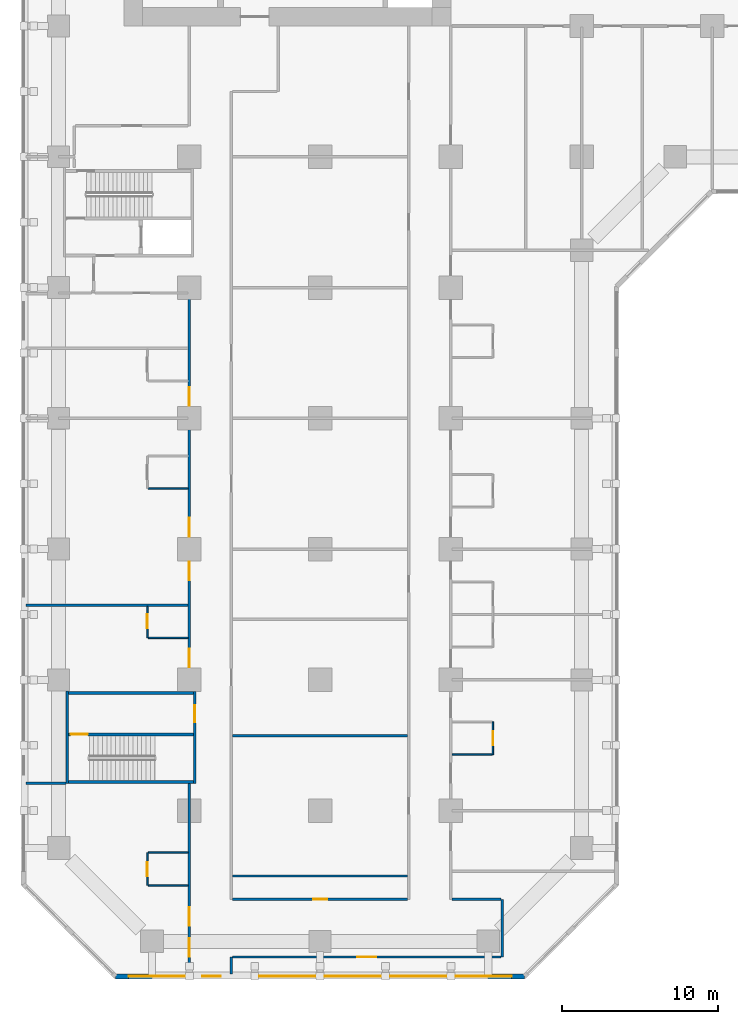
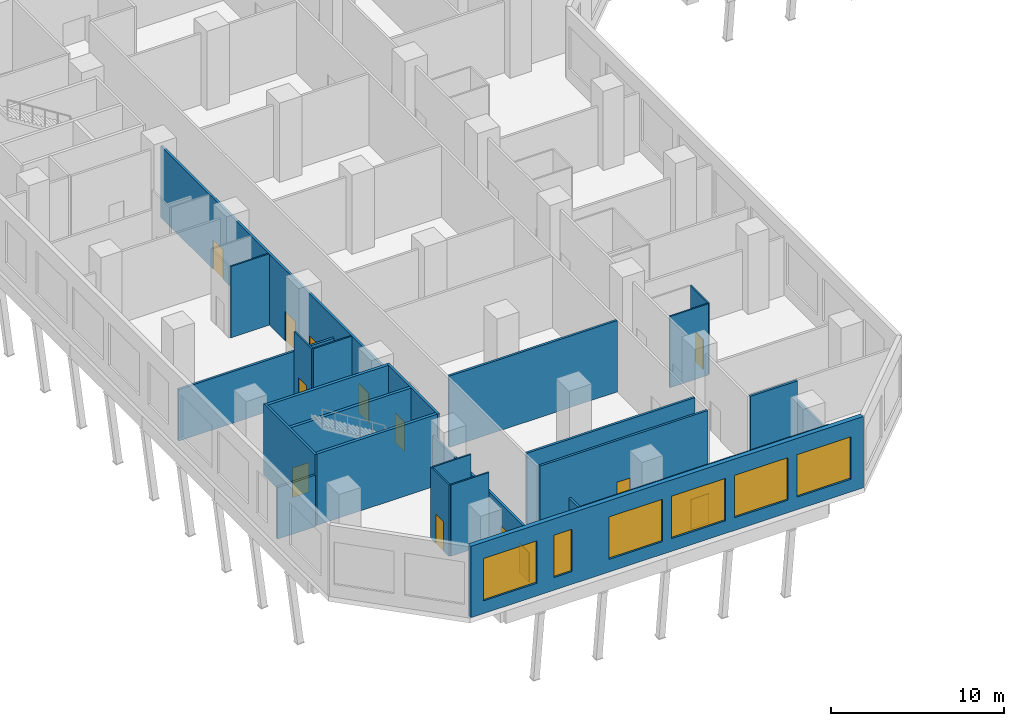
# One storey, part 3 of 24: 25 walls, 13 doors, 6 windows, 19 openings.
"""IFC4 building model written with IfcOpenShell, lengths in metres."""

from ifc_helpers import new_model, si_unit, direction, frame, frame_2d, origin, place, context, subcontext, project, spatial, rectangle, extrude, material, layer, layer_set, type_object, element, fill, save


model = new_model("IFC4")

# Units and contexts
model_context = context("Model", 3, precision=1e-05, world=origin(), true_north=direction((0.0, 1.0)))
body_context = subcontext(model_context, "Body", "Model", "MODEL_VIEW")
ifc_project = project(units=[si_unit("LENGTHUNIT", "METRE"), si_unit("AREAUNIT", "SQUARE_METRE"), si_unit("VOLUMEUNIT", "CUBIC_METRE"), si_unit("PLANEANGLEUNIT", "RADIAN"), si_unit("MASSUNIT", "GRAM", prefix="KILO")], contexts=[model_context])

# Site, building, storey
site_placement = place(None, origin())
site = spatial("IfcSite", under=ifc_project, at=site_placement, CompositionType="ELEMENT")
building_placement = place(site_placement, origin())
building = spatial("IfcBuilding", under=site, at=building_placement, Name="Kawkab Arch Medical Tower", CompositionType="ELEMENT")
storey_placement = place(building_placement, frame((0.0, 0.0, 18.199951171875)))
storey = spatial("IfcBuildingStorey", under=building, at=storey_placement, Name="L04", CompositionType="ELEMENT", Elevation=18.199951171875)

# Walls
ifc_material_1 = material(Name="Gypsum board partition on steel studs", Category="steel")
ifc_layer_1 = layer(ifc_material_1, 0.10009765625)
ifc_layer_set_1 = layer_set([ifc_layer_1], Name="Gypsum board partition on steel studs")
wall_type_1 = type_object("IfcWallType", Name="Partition 100", PredefinedType="PARTITIONING", material=ifc_layer_set_1)
wall_1_placement = place(storey_placement, frame((5.7509765625, -80.39990234375, 0.0), z_axis=(0.0, 0.0, 1.0), x_axis=(1.0, 0.0, 0.0)))
element("IfcWall", 1, at=wall_1_placement, inside=storey, type_object=wall_type_1, Name="Partition 100 w001", PredefinedType="PARTITIONING", context=body_context, shape_type="SweptSolid", body=[
    extrude(rectangle(XDim=2.573974609375, YDim=0.10009765625, at=frame_2d((1.287109375, 0.0))), origin(), (0.0, 0.0, 1.0), 5.050048828125),
])
for number, where, z_axis, x_axis, name in (
    (2, (5.751953125, -78.300048828125, 0.0), (0.0, 0.0, 1.0), (1.0, 0.0, 0.0), "Partition 100 w002"),
    (3, (25.27490234375, -72.0, 0.0), (0.0, 0.0, 1.0), (1.0, 0.0, 0.0), "Partition 100 w003"),
):
    element("IfcWall", number, at=place(storey_placement, frame(where, z_axis=z_axis, x_axis=x_axis)), inside=storey, type_object=wall_type_1, Name=name, PredefinedType="PARTITIONING", context=body_context, shape_type="SweptSolid", body=[
        extrude(rectangle(XDim=2.572998046875, YDim=0.10009765625, at=frame_2d((1.28662109375, 0.0))), origin(), (0.0, 0.0, 1.0), 5.050048828125),
    ])
for number, where, z_axis, x_axis, name in (
    (4, (5.7509765625, -64.5, 0.0), (0.0, 0.0, 1.0), (1.0, 0.0, 0.0), "Partition 100 w006"),
    (5, (5.7509765625, -54.89990234375, 0.0), (0.0, 0.0, 1.0), (1.0, 0.0, 0.0), "Partition 100 w009"),
):
    element("IfcWall", number, at=place(storey_placement, frame(where, z_axis=z_axis, x_axis=x_axis)), inside=storey, type_object=wall_type_1, Name=name, PredefinedType="PARTITIONING", context=body_context, shape_type="SweptSolid", body=[
        extrude(rectangle(XDim=2.573974609375, YDim=0.10009765625, at=frame_2d((1.287109375, 0.0))), origin(), (0.0, 0.0, 1.0), 5.050048828125),
    ])

# Wall, opening, door
wall_2_placement = place(storey_placement, frame((5.699951171875, -80.39794921875, 0.0), z_axis=(0.0, 0.0, 1.0), x_axis=(0.0, 1.0, 0.0)))
wall_2 = element("IfcWall", 6, at=wall_2_placement, inside=storey, type_object=wall_type_1, Name="Partition 100 w022", PredefinedType="PARTITIONING", context=body_context, shape_type="SweptSolid", body=[
    extrude(rectangle(XDim=2.095947265625, YDim=0.10009765625, at=frame_2d((1.0478515625, 0.0))), origin(), (0.0, 0.0, 1.0), 5.050048828125),
])
opening_1_placement = place(wall_2_placement, frame((0.597900390625, 0.0, 0.0)))
opening_1 = element("IfcOpeningElement", 7, at=opening_1_placement, cuts=wall_2, Name="Opening P04-011", PredefinedType="OPENING", context=body_context, shape_type="SweptSolid", body=[
    extrude(rectangle(XDim=0.89990234375, YDim=2.10009765625, at=frame_2d((0.449951171875, 1.050048828125))), frame((0.0, 0.06005859375, 0.0), z_axis=(0.0, -1.0, 0.0), x_axis=(1.0, 0.0, 0.0)), (0.0, 0.0, 1.0), 0.1201171875),
])
ifc_material_2 = material(Name="Timber door leaf", Category="wood")
door_type_1 = type_object("IfcDoorType", Name="Single door 900x2100", OperationType="NOTDEFINED", PredefinedType="DOOR", material=ifc_material_2)
door_1_placement = place(opening_1_placement, origin())
door_1 = element("IfcDoor", 8, at=door_1_placement, inside=storey, type_object=door_type_1, Name="Door P04-011", OperationType="SINGLE_SWING_LEFT", OverallHeight=2.10009765625, OverallWidth=0.89990234375, PredefinedType="DOOR", context=body_context, shape_type="SweptSolid", body=[
    extrude(rectangle(XDim=0.89990234375, YDim=2.10009765625, at=frame_2d((0.449951171875, 1.050048828125))), frame((0.0, 0.02490234375, 0.0), z_axis=(0.0, -1.0, 0.0), x_axis=(1.0, 0.0, 0.0)), (0.0, 0.0, 1.0), 0.050048828125),
])
fill(opening_1, door_1)

wall_3_placement = place(storey_placement, frame((5.699951171875, -64.498046875, 0.0), z_axis=(0.0, 0.0, 1.0), x_axis=(0.0, 1.0, 0.0)))
wall_3 = element("IfcWall", 9, at=wall_3_placement, inside=storey, type_object=wall_type_1, Name="Partition 100 w023", PredefinedType="PARTITIONING", context=body_context, shape_type="SweptSolid", body=[
    extrude(rectangle(XDim=2.02294921875, YDim=0.10009765625, at=frame_2d((1.011474609375, 0.0))), origin(), (0.0, 0.0, 1.0), 5.050048828125),
])
opening_2_placement = place(wall_3_placement, frame((0.59912109375, 0.0, 0.0)))
opening_2 = element("IfcOpeningElement", 10, at=opening_2_placement, cuts=wall_3, Name="Opening P04-010", PredefinedType="OPENING", context=body_context, shape_type="SweptSolid", body=[
    extrude(rectangle(XDim=0.89990234375, YDim=2.10009765625, at=frame_2d((0.449951171875, 1.050048828125))), frame((0.0, 0.06005859375, 0.0), z_axis=(0.0, -1.0, 0.0), x_axis=(1.0, 0.0, 0.0)), (0.0, 0.0, 1.0), 0.1201171875),
])
door_2_placement = place(opening_2_placement, origin())
door_2 = element("IfcDoor", 11, at=door_2_placement, inside=storey, type_object=door_type_1, Name="Door P04-010", OperationType="SINGLE_SWING_RIGHT", OverallHeight=2.10009765625, OverallWidth=0.89990234375, PredefinedType="DOOR", context=body_context, shape_type="SweptSolid", body=[
    extrude(rectangle(XDim=0.89990234375, YDim=2.10009765625, at=frame_2d((0.449951171875, 1.050048828125))), frame((0.0, 0.02490234375, 0.0), z_axis=(0.0, -1.0, 0.0), x_axis=(1.0, 0.0, 0.0)), (0.0, 0.0, 1.0), 0.050048828125),
])
fill(opening_2, door_2)

wall_4_placement = place(storey_placement, frame((27.89990234375, -71.998046875, 0.0), z_axis=(0.0, 0.0, 1.0), x_axis=(0.0, 1.0, 0.0)))
wall_4 = element("IfcWall", 12, at=wall_4_placement, inside=storey, type_object=wall_type_1, Name="Partition 100 w026", PredefinedType="PARTITIONING", context=body_context, shape_type="SweptSolid", body=[
    extrude(rectangle(XDim=2.095947265625, YDim=0.10009765625, at=frame_2d((1.0478515625, 0.0))), origin(), (0.0, 0.0, 1.0), 5.050048828125),
])
opening_3_placement = place(wall_4_placement, frame((0.597900390625, 0.0, 0.0)))
opening_3 = element("IfcOpeningElement", 13, at=opening_3_placement, cuts=wall_4, Name="Opening P04-017", PredefinedType="OPENING", context=body_context, shape_type="SweptSolid", body=[
    extrude(rectangle(XDim=0.89990234375, YDim=2.10009765625, at=frame_2d((0.449951171875, 1.050048828125))), frame((0.0, 0.06005859375, 0.0), z_axis=(0.0, -1.0, 0.0), x_axis=(1.0, 0.0, 0.0)), (0.0, 0.0, 1.0), 0.1201171875),
])
door_3_placement = place(opening_3_placement, origin())
door_3 = element("IfcDoor", 14, at=door_3_placement, inside=storey, type_object=door_type_1, Name="Door P04-017", OperationType="SINGLE_SWING_LEFT", OverallHeight=2.10009765625, OverallWidth=0.89990234375, PredefinedType="DOOR", context=body_context, shape_type="SweptSolid", body=[
    extrude(rectangle(XDim=0.89990234375, YDim=2.10009765625, at=frame_2d((0.449951171875, 1.050048828125))), frame((0.0, 0.02490234375, 0.0), z_axis=(0.0, -1.0, 0.0), x_axis=(1.0, 0.0, 0.0)), (0.0, 0.0, 1.0), 0.050048828125),
])
fill(opening_3, door_3)

ifc_material_3 = material(Name="Gypsum board partition on steel studs, mineral wool", Category="steel")
ifc_layer_2 = layer(ifc_material_3, 0.14990234375)
ifc_layer_set_2 = layer_set([ifc_layer_2], Name="Gypsum board partition on steel studs, mineral wool")
wall_type_2 = type_object("IfcWallType", Name="Partition 150", PredefinedType="PARTITIONING", material=ifc_layer_set_2)
wall_5_placement = place(storey_placement, frame((11.175048828125, -85.0, 0.0), z_axis=(0.0, 0.0, 1.0), x_axis=(1.0, 0.0, 0.0)))
wall_5 = element("IfcWall", 15, at=wall_5_placement, inside=storey, type_object=wall_type_2, Name="Partition 150 w042", PredefinedType="PARTITIONING", context=body_context, shape_type="SweptSolid", body=[
    extrude(rectangle(XDim=17.2490234375, YDim=0.14990234375, at=frame_2d((8.62451171875, 0.0))), origin(), (0.0, 0.0, 1.0), 4.150146484375),
])
opening_4_placement = place(wall_5_placement, frame((8.02392578125, 0.0, 0.0)))
opening_4 = element("IfcOpeningElement", 16, at=opening_4_placement, cuts=wall_5, Name="Opening P04-069", PredefinedType="OPENING", context=body_context, shape_type="SweptSolid", body=[
    extrude(rectangle(XDim=1.199951171875, YDim=2.10009765625, at=frame_2d((0.60009765625, 1.050048828125))), frame((0.0, 0.0849609375, 0.0), z_axis=(0.0, -1.0, 0.0), x_axis=(1.0, 0.0, 0.0)), (0.0, 0.0, 1.0), 0.169921875),
])
ifc_material_4 = material(Name="Hollow metal door leaf")
door_type_2 = type_object("IfcDoorType", Name="Single door 1200x2100 FD30S", OperationType="NOTDEFINED", PredefinedType="DOOR", material=ifc_material_4)
door_4_placement = place(opening_4_placement, origin())
door_4 = element("IfcDoor", 17, at=door_4_placement, inside=storey, type_object=door_type_2, Name="Door P04-069", OperationType="SINGLE_SWING_LEFT", OverallHeight=2.10009765625, OverallWidth=1.199951171875, PredefinedType="DOOR", context=body_context, shape_type="SweptSolid", body=[
    extrude(rectangle(XDim=1.199951171875, YDim=2.10009765625, at=frame_2d((0.60009765625, 1.050048828125))), frame((0.0, 0.02490234375, 0.0), z_axis=(0.0, -1.0, 0.0), x_axis=(1.0, 0.0, 0.0)), (0.0, 0.0, 1.0), 0.050048828125),
])
fill(opening_4, door_4)

wall_6_placement = place(storey_placement, frame((11.175048828125, -81.300048828125, 0.0), z_axis=(0.0, 0.0, 1.0), x_axis=(1.0, 0.0, 0.0)))
wall_6 = element("IfcWall", 18, at=wall_6_placement, inside=storey, type_object=wall_type_2, Name="Partition 150 w043", PredefinedType="PARTITIONING", context=body_context, shape_type="SweptSolid", body=[
    extrude(rectangle(XDim=11.25, YDim=0.14990234375, at=frame_2d((5.625, 0.0))), origin(), (0.0, 0.0, 1.0), 5.050048828125),
])
opening_5_placement = place(wall_6_placement, frame((5.175048828125, 0.0, 0.0)))
opening_5 = element("IfcOpeningElement", 19, at=opening_5_placement, cuts=wall_6, Name="Opening P04-012", PredefinedType="OPENING", context=body_context, shape_type="SweptSolid", body=[
    extrude(rectangle(XDim=0.89990234375, YDim=2.10009765625, at=frame_2d((0.449951171875, 1.050048828125))), frame((0.0, 0.0849609375, 0.0), z_axis=(0.0, -1.0, 0.0), x_axis=(1.0, 0.0, 0.0)), (0.0, 0.0, 1.0), 0.169921875),
])
door_5_placement = place(opening_5_placement, origin())
door_5 = element("IfcDoor", 20, at=door_5_placement, inside=storey, type_object=door_type_1, Name="Door P04-012", OperationType="SINGLE_SWING_LEFT", OverallHeight=2.10009765625, OverallWidth=0.89990234375, PredefinedType="DOOR", context=body_context, shape_type="SweptSolid", body=[
    extrude(rectangle(XDim=0.89990234375, YDim=2.10009765625, at=frame_2d((0.449951171875, 1.050048828125))), frame((0.0, 0.02490234375, 0.0), z_axis=(0.0, -1.0, 0.0), x_axis=(1.0, 0.0, 0.0)), (0.0, 0.0, 1.0), 0.050048828125),
])
fill(opening_5, door_5)

# Walls
wall_7_placement = place(storey_placement, frame((25.27490234375, -81.300048828125, 0.0), z_axis=(0.0, 0.0, 1.0), x_axis=(1.0, 0.0, 0.0)))
element("IfcWall", 21, at=wall_7_placement, inside=storey, type_object=wall_type_2, Name="Partition 150 w044", PredefinedType="PARTITIONING", context=body_context, shape_type="SweptSolid", body=[
    extrude(rectangle(XDim=3.148193359375, YDim=0.14990234375, at=frame_2d((1.57421875, 0.0))), origin(), (0.0, 0.0, 1.0), 5.050048828125),
])
wall_8_placement = place(storey_placement, frame((11.175048828125, -79.800048828125, 0.0), z_axis=(0.0, 0.0, 1.0), x_axis=(1.0, 0.0, 0.0)))
element("IfcWall", 22, at=wall_8_placement, inside=storey, type_object=wall_type_2, Name="Partition 150 w045", PredefinedType="PARTITIONING", context=body_context, shape_type="SweptSolid", body=[
    extrude(rectangle(XDim=11.25, YDim=0.14990234375, at=frame_2d((5.625, 0.0))), origin(), (0.0, 0.0, 1.0), 5.050048828125),
])
wall_9_placement = place(storey_placement, frame((-2.080078125, -73.85009765625, 0.0), z_axis=(0.0, 0.0, 1.0), x_axis=(1.0, 0.0, 0.0)))
element("IfcWall", 23, at=wall_9_placement, inside=storey, type_object=wall_type_2, Name="Partition 150 w048", PredefinedType="PARTITIONING", context=body_context, shape_type="SweptSolid", body=[
    extrude(rectangle(XDim=2.552001953125, YDim=0.14990234375, at=frame_2d((1.27587890625, 0.0))), origin(), (0.0, 0.0, 1.0), 3.650146484375),
])
wall_10_placement = place(storey_placement, frame((11.175048828125, -70.800048828125, 0.0), z_axis=(0.0, 0.0, 1.0), x_axis=(1.0, 0.0, 0.0)))
element("IfcWall", 24, at=wall_10_placement, inside=storey, type_object=wall_type_2, Name="Partition 150 w049", PredefinedType="PARTITIONING", context=body_context, shape_type="SweptSolid", body=[
    extrude(rectangle(XDim=11.25, YDim=0.14990234375, at=frame_2d((5.625, 0.0))), origin(), (0.0, 0.0, 1.0), 5.050048828125),
])
wall_11_placement = place(storey_placement, frame((-2.080078125, -62.39990234375, 0.0), z_axis=(0.0, 0.0, 1.0), x_axis=(1.0, 0.0, 0.0)))
element("IfcWall", 25, at=wall_11_placement, inside=storey, type_object=wall_type_2, Name="Partition 150 w053", PredefinedType="PARTITIONING", context=body_context, shape_type="SweptSolid", body=[
    extrude(rectangle(XDim=10.405029296875, YDim=0.14990234375, at=frame_2d((5.20263671875, 0.0))), origin(), (0.0, 0.0, 1.0), 3.650146484375),
])

# Wall, openings, doors
wall_12_placement = place(storey_placement, frame((8.39990234375, -86.080078125, 0.0), z_axis=(0.0, 0.0, 1.0), x_axis=(0.0, 1.0, 0.0)))
wall_12 = element("IfcWall", 26, at=wall_12_placement, inside=storey, type_object=wall_type_2, Name="Partition 150 w091", PredefinedType="PARTITIONING", context=body_context, shape_type="SweptSolid", body=[
    extrude(rectangle(XDim=12.22998046875, YDim=0.14990234375, at=frame_2d((6.114990234375, 0.0))), origin(), (0.0, 0.0, 1.0), 3.650146484375),
])
opening_6_placement = place(wall_12_placement, frame((1.080078125, 0.0, 0.0)))
opening_6 = element("IfcOpeningElement", 27, at=opening_6_placement, cuts=wall_12, Name="Opening P04-060", PredefinedType="OPENING", context=body_context, shape_type="SweptSolid", body=[
    extrude(rectangle(XDim=1.199951171875, YDim=2.10009765625, at=frame_2d((0.60009765625, 1.050048828125))), frame((0.0, 0.0849609375, 0.0), z_axis=(0.0, -1.0, 0.0), x_axis=(1.0, 0.0, 0.0)), (0.0, 0.0, 1.0), 0.169921875),
])
opening_7_placement = place(wall_12_placement, frame((3.080078125, 0.0, 0.0)))
opening_7 = element("IfcOpeningElement", 28, at=opening_7_placement, cuts=wall_12, Name="Opening P04-061", PredefinedType="OPENING", context=body_context, shape_type="SweptSolid", body=[
    extrude(rectangle(XDim=1.199951171875, YDim=2.10009765625, at=frame_2d((0.60009765625, 1.050048828125))), frame((0.0, 0.0849609375, 0.0), z_axis=(0.0, -1.0, 0.0), x_axis=(1.0, 0.0, 0.0)), (0.0, 0.0, 1.0), 0.169921875),
])
door_6_placement = place(opening_6_placement, origin())
door_6 = element("IfcDoor", 29, at=door_6_placement, inside=storey, type_object=door_type_2, Name="Door P04-060", OperationType="SINGLE_SWING_LEFT", OverallHeight=2.10009765625, OverallWidth=1.199951171875, PredefinedType="DOOR", context=body_context, shape_type="SweptSolid", body=[
    extrude(rectangle(XDim=1.199951171875, YDim=2.10009765625, at=frame_2d((0.60009765625, 1.050048828125))), frame((0.0, 0.02490234375, 0.0), z_axis=(0.0, -1.0, 0.0), x_axis=(1.0, 0.0, 0.0)), (0.0, 0.0, 1.0), 0.050048828125),
])
fill(opening_6, door_6)
door_7_placement = place(opening_7_placement, origin())
door_7 = element("IfcDoor", 30, at=door_7_placement, inside=storey, type_object=door_type_2, Name="Door P04-061", OperationType="SINGLE_SWING_LEFT", OverallHeight=2.10009765625, OverallWidth=1.199951171875, PredefinedType="DOOR", context=body_context, shape_type="SweptSolid", body=[
    extrude(rectangle(XDim=1.199951171875, YDim=2.10009765625, at=frame_2d((0.60009765625, 1.050048828125))), frame((0.0, 0.02490234375, 0.0), z_axis=(0.0, -1.0, 0.0), x_axis=(1.0, 0.0, 0.0)), (0.0, 0.0, 1.0), 0.050048828125),
])
fill(opening_7, door_7)

wall_13_placement = place(storey_placement, frame((8.39990234375, -67.947021484375, 0.0), z_axis=(0.0, 0.0, 1.0), x_axis=(0.0, 1.0, 0.0)))
wall_13 = element("IfcWall", 31, at=wall_13_placement, inside=storey, type_object=wall_type_2, Name="Partition 150 w092", PredefinedType="PARTITIONING", context=body_context, shape_type="SweptSolid", body=[
    extrude(rectangle(XDim=25.596923828125, YDim=0.14990234375, at=frame_2d((12.79833984375, 0.0))), origin(), (0.0, 0.0, 1.0), 5.050048828125),
])
opening_8_placement = place(wall_13_placement, frame((18.346923828125, 0.0, 0.0)))
opening_8 = element("IfcOpeningElement", 32, at=opening_8_placement, cuts=wall_13, Name="Opening P04-056", PredefinedType="OPENING", context=body_context, shape_type="SweptSolid", body=[
    extrude(rectangle(XDim=1.199951171875, YDim=2.10009765625, at=frame_2d((0.60009765625, 1.050048828125))), frame((0.0, 0.0849609375, 0.0), z_axis=(0.0, -1.0, 0.0), x_axis=(1.0, 0.0, 0.0)), (0.0, 0.0, 1.0), 0.169921875),
])
opening_9_placement = place(wall_13_placement, frame((7.14697265625, 0.0, 0.0)))
opening_9 = element("IfcOpeningElement", 33, at=opening_9_placement, cuts=wall_13, Name="Opening P04-057", PredefinedType="OPENING", context=body_context, shape_type="SweptSolid", body=[
    extrude(rectangle(XDim=1.199951171875, YDim=2.10009765625, at=frame_2d((0.60009765625, 1.050048828125))), frame((0.0, 0.0849609375, 0.0), z_axis=(0.0, -1.0, 0.0), x_axis=(1.0, 0.0, 0.0)), (0.0, 0.0, 1.0), 0.169921875),
])
opening_10_placement = place(wall_13_placement, frame((9.947021484375, 0.0, 0.0)))
opening_10 = element("IfcOpeningElement", 34, at=opening_10_placement, cuts=wall_13, Name="Opening P04-058", PredefinedType="OPENING", context=body_context, shape_type="SweptSolid", body=[
    extrude(rectangle(XDim=1.199951171875, YDim=2.10009765625, at=frame_2d((0.60009765625, 1.050048828125))), frame((0.0, 0.0849609375, 0.0), z_axis=(0.0, -1.0, 0.0), x_axis=(1.0, 0.0, 0.0)), (0.0, 0.0, 1.0), 0.169921875),
])
opening_11_placement = place(wall_13_placement, frame((1.549072265625, 0.0, 0.0)))
opening_11 = element("IfcOpeningElement", 35, at=opening_11_placement, cuts=wall_13, Name="Opening P04-059", PredefinedType="OPENING", context=body_context, shape_type="SweptSolid", body=[
    extrude(rectangle(XDim=1.199951171875, YDim=2.10009765625, at=frame_2d((0.60009765625, 1.050048828125))), frame((0.0, 0.0849609375, 0.0), z_axis=(0.0, -1.0, 0.0), x_axis=(1.0, 0.0, 0.0)), (0.0, 0.0, 1.0), 0.169921875),
])
door_8_placement = place(opening_8_placement, origin())
door_8 = element("IfcDoor", 36, at=door_8_placement, inside=storey, type_object=door_type_2, Name="Door P04-056", OperationType="SINGLE_SWING_RIGHT", OverallHeight=2.10009765625, OverallWidth=1.199951171875, PredefinedType="DOOR", context=body_context, shape_type="SweptSolid", body=[
    extrude(rectangle(XDim=1.199951171875, YDim=2.10009765625, at=frame_2d((0.60009765625, 1.050048828125))), frame((0.0, 0.02490234375, 0.0), z_axis=(0.0, -1.0, 0.0), x_axis=(1.0, 0.0, 0.0)), (0.0, 0.0, 1.0), 0.050048828125),
])
fill(opening_8, door_8)
door_9_placement = place(opening_9_placement, origin())
door_9 = element("IfcDoor", 37, at=door_9_placement, inside=storey, type_object=door_type_2, Name="Door P04-057", OperationType="SINGLE_SWING_LEFT", OverallHeight=2.10009765625, OverallWidth=1.199951171875, PredefinedType="DOOR", context=body_context, shape_type="SweptSolid", body=[
    extrude(rectangle(XDim=1.199951171875, YDim=2.10009765625, at=frame_2d((0.60009765625, 1.050048828125))), frame((0.0, 0.02490234375, 0.0), z_axis=(0.0, -1.0, 0.0), x_axis=(1.0, 0.0, 0.0)), (0.0, 0.0, 1.0), 0.050048828125),
])
fill(opening_9, door_9)
door_10_placement = place(opening_10_placement, origin())
door_10 = element("IfcDoor", 38, at=door_10_placement, inside=storey, type_object=door_type_2, Name="Door P04-058", OperationType="SINGLE_SWING_LEFT", OverallHeight=2.10009765625, OverallWidth=1.199951171875, PredefinedType="DOOR", context=body_context, shape_type="SweptSolid", body=[
    extrude(rectangle(XDim=1.199951171875, YDim=2.10009765625, at=frame_2d((0.60009765625, 1.050048828125))), frame((0.0, 0.02490234375, 0.0), z_axis=(0.0, -1.0, 0.0), x_axis=(1.0, 0.0, 0.0)), (0.0, 0.0, 1.0), 0.050048828125),
])
fill(opening_10, door_10)
door_11_placement = place(opening_11_placement, origin())
door_11 = element("IfcDoor", 39, at=door_11_placement, inside=storey, type_object=door_type_2, Name="Door P04-059", OperationType="SINGLE_SWING_LEFT", OverallHeight=2.10009765625, OverallWidth=1.199951171875, PredefinedType="DOOR", context=body_context, shape_type="SweptSolid", body=[
    extrude(rectangle(XDim=1.199951171875, YDim=2.10009765625, at=frame_2d((0.60009765625, 1.050048828125))), frame((0.0, 0.02490234375, 0.0), z_axis=(0.0, -1.0, 0.0), x_axis=(1.0, 0.0, 0.0)), (0.0, 0.0, 1.0), 0.050048828125),
])
fill(opening_11, door_11)

# Walls
wall_14_placement = place(storey_placement, frame((11.10009765625, -86.080078125, 0.0), z_axis=(0.0, 0.0, 1.0), x_axis=(0.0, 1.0, 0.0)))
element("IfcWall", 40, at=wall_14_placement, inside=storey, type_object=wall_type_2, Name="Partition 150 w094", PredefinedType="PARTITIONING", context=body_context, shape_type="SweptSolid", body=[
    extrude(rectangle(XDim=1.080078125, YDim=0.14990234375, at=frame_2d((0.5400390625, 0.0))), origin(), (0.0, 0.0, 1.0), 5.050048828125),
])
wall_15_placement = place(storey_placement, frame((28.5, -84.998046875, 0.0), z_axis=(0.0, 0.0, 1.0), x_axis=(0.0, 1.0, 0.0)))
element("IfcWall", 41, at=wall_15_placement, inside=storey, type_object=wall_type_2, Name="Partition 150 w099", PredefinedType="PARTITIONING", context=body_context, shape_type="SweptSolid", body=[
    extrude(rectangle(XDim=3.697021484375, YDim=0.14990234375, at=frame_2d((1.8486328125, 0.0))), origin(), (0.0, 0.0, 1.0), 3.650146484375),
])

# Wall, openings, windows
ifc_material_5 = material(Name="Bronze clad insulated wall panel")
ifc_layer_3 = layer(ifc_material_5, 0.300048828125)
ifc_layer_set_3 = layer_set([ifc_layer_3], Name="Bronze clad insulated wall panel")
wall_type_3 = type_object("IfcWallType", Name="Podium external wall 300", PredefinedType="SOLIDWALL", material=ifc_layer_set_3)
wall_16_placement = place(storey_placement, frame((3.662109375, -86.25, 0.0), z_axis=(0.0, 0.0, 1.0), x_axis=(1.0, 0.0, 0.0)))
wall_16 = element("IfcWall", 42, at=wall_16_placement, inside=storey, type_object=wall_type_3, Name="Podium external wall L04 R09", PredefinedType="SOLIDWALL", context=body_context, shape_type="SweptSolid", body=[
    extrude(rectangle(XDim=26.27587890625, YDim=0.300048828125, at=frame_2d((13.137939453125, 0.0))), origin(), (0.0, 0.0, 1.0), 5.050048828125),
])
opening_12_placement = place(wall_16_placement, frame((0.837890625, 0.0, 0.89990234375)))
opening_12 = element("IfcOpeningElement", 43, at=opening_12_placement, cuts=wall_16, Name="Opening PBW360-30-S9", PredefinedType="OPENING", context=body_context, shape_type="SweptSolid", body=[
    extrude(rectangle(XDim=3.60009765625, YDim=3.0, at=frame_2d((1.800048828125, 1.5))), frame((0.0, 0.159912109375, 0.0), z_axis=(0.0, -1.0, 0.0), x_axis=(1.0, 0.0, 0.0)), (0.0, 0.0, 1.0), 0.320068359375),
])
opening_13_placement = place(wall_16_placement, frame((5.56298828125, 0.0, 0.89990234375)))
opening_13 = element("IfcOpeningElement", 44, at=opening_13_placement, cuts=wall_16, Name="Opening PBW120-30-S9", PredefinedType="OPENING", context=body_context, shape_type="SweptSolid", body=[
    extrude(rectangle(XDim=1.199951171875, YDim=3.0, at=frame_2d((0.60009765625, 1.5))), frame((0.0, 0.159912109375, 0.0), z_axis=(0.0, -1.0, 0.0), x_axis=(1.0, 0.0, 0.0)), (0.0, 0.0, 1.0), 0.320068359375),
])
opening_14_placement = place(wall_16_placement, frame((9.23779296875, 0.0, 0.89990234375)))
opening_14 = element("IfcOpeningElement", 45, at=opening_14_placement, cuts=wall_16, Name="Opening PBW360-30-S9", PredefinedType="OPENING", context=body_context, shape_type="SweptSolid", body=[
    extrude(rectangle(XDim=3.60009765625, YDim=3.0, at=frame_2d((1.800048828125, 1.5))), frame((0.0, 0.159912109375, 0.0), z_axis=(0.0, -1.0, 0.0), x_axis=(1.0, 0.0, 0.0)), (0.0, 0.0, 1.0), 0.320068359375),
])
opening_15_placement = place(wall_16_placement, frame((13.43798828125, 0.0, 0.89990234375)))
opening_15 = element("IfcOpeningElement", 46, at=opening_15_placement, cuts=wall_16, Name="Opening PBW360-30-S9", PredefinedType="OPENING", context=body_context, shape_type="SweptSolid", body=[
    extrude(rectangle(XDim=3.60009765625, YDim=3.0, at=frame_2d((1.800048828125, 1.5))), frame((0.0, 0.159912109375, 0.0), z_axis=(0.0, -1.0, 0.0), x_axis=(1.0, 0.0, 0.0)), (0.0, 0.0, 1.0), 0.320068359375),
])
opening_16_placement = place(wall_16_placement, frame((17.637939453125, 0.0, 0.89990234375)))
opening_16 = element("IfcOpeningElement", 47, at=opening_16_placement, cuts=wall_16, Name="Opening PBW360-30-S9", PredefinedType="OPENING", context=body_context, shape_type="SweptSolid", body=[
    extrude(rectangle(XDim=3.60009765625, YDim=3.0, at=frame_2d((1.800048828125, 1.5))), frame((0.0, 0.159912109375, 0.0), z_axis=(0.0, -1.0, 0.0), x_axis=(1.0, 0.0, 0.0)), (0.0, 0.0, 1.0), 0.320068359375),
])
opening_17_placement = place(wall_16_placement, frame((21.837890625, 0.0, 0.89990234375)))
opening_17 = element("IfcOpeningElement", 48, at=opening_17_placement, cuts=wall_16, Name="Opening PBW360-30-S9", PredefinedType="OPENING", context=body_context, shape_type="SweptSolid", body=[
    extrude(rectangle(XDim=3.60009765625, YDim=3.0, at=frame_2d((1.800048828125, 1.5))), frame((0.0, 0.159912109375, 0.0), z_axis=(0.0, -1.0, 0.0), x_axis=(1.0, 0.0, 0.0)), (0.0, 0.0, 1.0), 0.320068359375),
])
ifc_material_6 = material(Name="Bronze anodised aluminium louvred window", Category="aluminium")
window_type_1 = type_object("IfcWindowType", Name="Podium band window 1200 x 3000 sill 900", PartitioningType="DOUBLE_PANEL_VERTICAL", PredefinedType="WINDOW", material=ifc_material_6)
window_1_placement = place(opening_13_placement, origin())
window_1 = element("IfcWindow", 49, at=window_1_placement, inside=storey, type_object=window_type_1, Name="Band window L04 R09.2", OverallHeight=3.0, OverallWidth=1.199951171875, PartitioningType="SINGLE_PANEL", PredefinedType="WINDOW", context=body_context, shape_type="SweptSolid", body=[
    extrude(rectangle(XDim=1.199951171875, YDim=3.0, at=frame_2d((0.60009765625, 1.5))), frame((0.0, 0.030029296875, 0.0), z_axis=(0.0, -1.0, 0.0), x_axis=(1.0, 0.0, 0.0)), (0.0, 0.0, 1.0), 0.06005859375),
])
fill(opening_13, window_1)
ifc_material_7 = material(Name="Bronze anodised aluminium louvred window", Category="aluminium")
window_type_2 = type_object("IfcWindowType", Name="Podium band window 3600 x 3000 sill 900", PartitioningType="DOUBLE_PANEL_VERTICAL", PredefinedType="WINDOW", material=ifc_material_7)
window_2_placement = place(opening_12_placement, origin())
window_2 = element("IfcWindow", 50, at=window_2_placement, inside=storey, type_object=window_type_2, Name="Band window L04 R09.1", OverallHeight=3.0, OverallWidth=3.60009765625, PartitioningType="SINGLE_PANEL", PredefinedType="WINDOW", context=body_context, shape_type="SweptSolid", body=[
    extrude(rectangle(XDim=3.60009765625, YDim=3.0, at=frame_2d((1.800048828125, 1.5))), frame((0.0, 0.030029296875, 0.0), z_axis=(0.0, -1.0, 0.0), x_axis=(1.0, 0.0, 0.0)), (0.0, 0.0, 1.0), 0.06005859375),
])
fill(opening_12, window_2)
window_3_placement = place(opening_14_placement, origin())
window_3 = element("IfcWindow", 51, at=window_3_placement, inside=storey, type_object=window_type_2, Name="Band window L04 R09.3", OverallHeight=3.0, OverallWidth=3.60009765625, PartitioningType="SINGLE_PANEL", PredefinedType="WINDOW", context=body_context, shape_type="SweptSolid", body=[
    extrude(rectangle(XDim=3.60009765625, YDim=3.0, at=frame_2d((1.800048828125, 1.5))), frame((0.0, 0.030029296875, 0.0), z_axis=(0.0, -1.0, 0.0), x_axis=(1.0, 0.0, 0.0)), (0.0, 0.0, 1.0), 0.06005859375),
])
fill(opening_14, window_3)
window_4_placement = place(opening_15_placement, origin())
window_4 = element("IfcWindow", 52, at=window_4_placement, inside=storey, type_object=window_type_2, Name="Band window L04 R09.4", OverallHeight=3.0, OverallWidth=3.60009765625, PartitioningType="SINGLE_PANEL", PredefinedType="WINDOW", context=body_context, shape_type="SweptSolid", body=[
    extrude(rectangle(XDim=3.60009765625, YDim=3.0, at=frame_2d((1.800048828125, 1.5))), frame((0.0, 0.030029296875, 0.0), z_axis=(0.0, -1.0, 0.0), x_axis=(1.0, 0.0, 0.0)), (0.0, 0.0, 1.0), 0.06005859375),
])
fill(opening_15, window_4)
window_5_placement = place(opening_16_placement, origin())
window_5 = element("IfcWindow", 53, at=window_5_placement, inside=storey, type_object=window_type_2, Name="Band window L04 R09.5", OverallHeight=3.0, OverallWidth=3.60009765625, PartitioningType="SINGLE_PANEL", PredefinedType="WINDOW", context=body_context, shape_type="SweptSolid", body=[
    extrude(rectangle(XDim=3.60009765625, YDim=3.0, at=frame_2d((1.800048828125, 1.5))), frame((0.0, 0.030029296875, 0.0), z_axis=(0.0, -1.0, 0.0), x_axis=(1.0, 0.0, 0.0)), (0.0, 0.0, 1.0), 0.06005859375),
])
fill(opening_16, window_5)
window_6_placement = place(opening_17_placement, origin())
window_6 = element("IfcWindow", 54, at=window_6_placement, inside=storey, type_object=window_type_2, Name="Band window L04 R09.6", OverallHeight=3.0, OverallWidth=3.60009765625, PartitioningType="SINGLE_PANEL", PredefinedType="WINDOW", context=body_context, shape_type="SweptSolid", body=[
    extrude(rectangle(XDim=3.60009765625, YDim=3.0, at=frame_2d((1.800048828125, 1.5))), frame((0.0, 0.030029296875, 0.0), z_axis=(0.0, -1.0, 0.0), x_axis=(1.0, 0.0, 0.0)), (0.0, 0.0, 1.0), 0.06005859375),
])
fill(opening_17, window_6)

# Wall
ifc_material_8 = material(Name="Concrete C50/60", Category="concrete")
ifc_layer_4 = layer(ifc_material_8, 0.14990234375)
ifc_layer_set_4 = layer_set([ifc_layer_4], Name="Concrete C50/60")
wall_type_4 = type_object("IfcWallType", Name="Stair enclosure wall 150 C50/60", PredefinedType="SHEAR", material=ifc_layer_set_4)
wall_17_placement = place(storey_placement, frame((0.550048828125, -73.85009765625, 0.0), z_axis=(0.0, 0.0, 1.0), x_axis=(0.0, 1.0, 0.0)))
element("IfcWall", 55, at=wall_17_placement, inside=storey, type_object=wall_type_4, Name="L04 stair enclosure wall", PredefinedType="SHEAR", context=body_context, shape_type="SweptSolid", body=[
    extrude(rectangle(XDim=5.9501953125, YDim=0.14990234375, at=frame_2d((2.97509765625, 0.0))), origin(), (0.0, 0.0, 1.0), 5.050048828125),
])

# Wall, opening, door
wall_18_placement = place(storey_placement, frame((8.75, -73.85009765625, 0.0), z_axis=(0.0, 0.0, 1.0), x_axis=(0.0, 1.0, 0.0)))
wall_18 = element("IfcWall", 56, at=wall_18_placement, inside=storey, type_object=wall_type_4, Name="L04 stair enclosure wall", PredefinedType="SHEAR", context=body_context, shape_type="SweptSolid", body=[
    extrude(rectangle(XDim=5.900146484375, YDim=0.14990234375, at=frame_2d((2.9501953125, 0.0))), origin(), (0.0, 0.0, 1.0), 5.050048828125),
])
opening_18_placement = place(wall_18_placement, frame((3.925048828125, 0.0, 0.0)))
opening_18 = element("IfcOpeningElement", 57, at=opening_18_placement, cuts=wall_18, Name="Opening SD", PredefinedType="OPENING", context=body_context, shape_type="SweptSolid", body=[
    extrude(rectangle(XDim=1.10009765625, YDim=2.10009765625, at=frame_2d((0.550048828125, 1.050048828125))), frame((0.0, 0.0849609375, 0.0), z_axis=(0.0, -1.0, 0.0), x_axis=(1.0, 0.0, 0.0)), (0.0, 0.0, 1.0), 0.169921875),
])
ifc_material_9 = material(Name="Hollow metal fire door leaf")
door_type_3 = type_object("IfcDoorType", Name="Exit stair door 1100", OperationType="SINGLE_SWING_LEFT", PredefinedType="DOOR", material=ifc_material_9)
door_12_placement = place(opening_18_placement, origin())
door_12 = element("IfcDoor", 58, at=door_12_placement, inside=storey, type_object=door_type_3, Name="L04 Exit stair ST10 lobby door", OperationType="SINGLE_SWING_LEFT", OverallHeight=2.10009765625, OverallWidth=1.10009765625, PredefinedType="DOOR", context=body_context, shape_type="SweptSolid", body=[
    extrude(rectangle(XDim=1.10009765625, YDim=2.10009765625, at=frame_2d((0.550048828125, 1.050048828125))), frame((0.0, 0.02490234375, 0.0), z_axis=(0.0, -1.0, 0.0), x_axis=(1.0, 0.0, 0.0)), (0.0, 0.0, 1.0), 0.050048828125),
])
fill(opening_18, door_12)

# Wall
ifc_material_10 = material(Name="Concrete C50/60", Category="concrete")
ifc_layer_5 = layer(ifc_material_10, 0.199951171875)
ifc_layer_set_5 = layer_set([ifc_layer_5], Name="Concrete C50/60")
wall_type_5 = type_object("IfcWallType", Name="Stair enclosure wall 200 C50/60", PredefinedType="SHEAR", material=ifc_layer_set_5)
wall_19_placement = place(storey_placement, frame((0.625, -73.75, 0.0), z_axis=(0.0, 0.0, 1.0), x_axis=(1.0, 0.0, 0.0)))
element("IfcWall", 59, at=wall_19_placement, inside=storey, type_object=wall_type_5, Name="L04 stair enclosure wall", PredefinedType="SHEAR", context=body_context, shape_type="SweptSolid", body=[
    extrude(rectangle(XDim=8.050048828125, YDim=0.199951171875, at=frame_2d((4.02490234375, 0.0))), origin(), (0.0, 0.0, 1.0), 5.050048828125),
])

# Wall, opening, door
wall_20_placement = place(storey_placement, frame((0.625, -70.699951171875, 0.0), z_axis=(0.0, 0.0, 1.0), x_axis=(1.0, 0.0, 0.0)))
wall_20 = element("IfcWall", 60, at=wall_20_placement, inside=storey, type_object=wall_type_5, Name="L04 stair enclosure wall", PredefinedType="SHEAR", context=body_context, shape_type="SweptSolid", body=[
    extrude(rectangle(XDim=8.050048828125, YDim=0.199951171875, at=frame_2d((4.02490234375, 0.0))), origin(), (0.0, 0.0, 1.0), 5.050048828125),
])
opening_19_placement = place(wall_20_placement, frame((0.14990234375, 0.0, 0.0)))
opening_19 = element("IfcOpeningElement", 61, at=opening_19_placement, cuts=wall_20, Name="Opening SD", PredefinedType="OPENING", context=body_context, shape_type="SweptSolid", body=[
    extrude(rectangle(XDim=1.10009765625, YDim=2.10009765625, at=frame_2d((0.550048828125, 1.050048828125))), frame((0.0, 0.10986328125, 0.0), z_axis=(0.0, -1.0, 0.0), x_axis=(1.0, 0.0, 0.0)), (0.0, 0.0, 1.0), 0.219970703125),
])
door_13_placement = place(opening_19_placement, frame((1.10009765625, 0.0, 0.0), z_axis=(0.0, 0.0, 1.0), x_axis=(-1.0, 0.0, 0.0)))
door_13 = element("IfcDoor", 62, at=door_13_placement, inside=storey, type_object=door_type_3, Name="L04 Exit stair ST10 door", OperationType="SINGLE_SWING_LEFT", OverallHeight=2.10009765625, OverallWidth=1.10009765625, PredefinedType="DOOR", context=body_context, shape_type="SweptSolid", body=[
    extrude(rectangle(XDim=1.10009765625, YDim=2.10009765625, at=frame_2d((0.550048828125, 1.050048828125))), frame((0.0, 0.02490234375, 0.0), z_axis=(0.0, -1.0, 0.0), x_axis=(1.0, 0.0, 0.0)), (0.0, 0.0, 1.0), 0.050048828125),
])
fill(opening_19, door_13)

# Wall
wall_21_placement = place(storey_placement, frame((0.625, -68.050048828125, 0.0), z_axis=(0.0, 0.0, 1.0), x_axis=(1.0, 0.0, 0.0)))
element("IfcWall", 63, at=wall_21_placement, inside=storey, type_object=wall_type_5, Name="L04 stair enclosure wall", PredefinedType="SHEAR", context=body_context, shape_type="SweptSolid", body=[
    extrude(rectangle(XDim=8.050048828125, YDim=0.199951171875, at=frame_2d((4.02490234375, 0.0))), origin(), (0.0, 0.0, 1.0), 5.050048828125),
])

save(model, "model.ifc")
